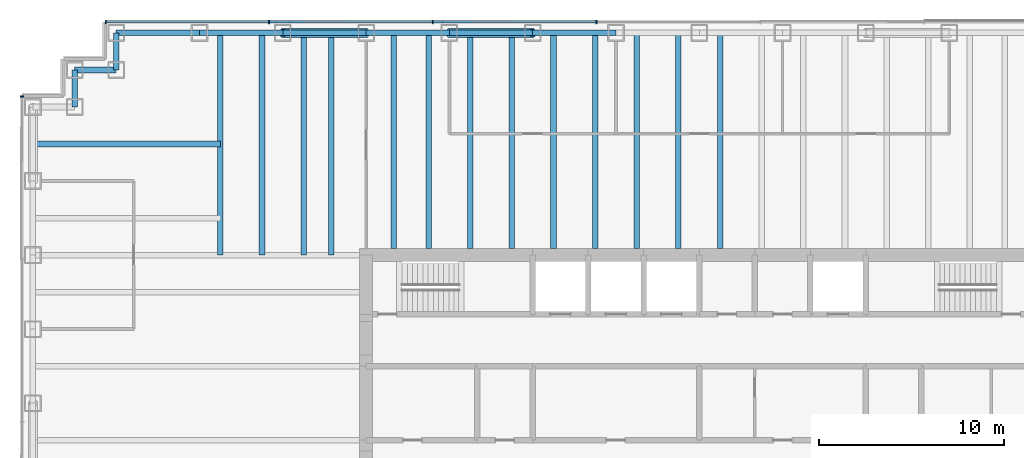
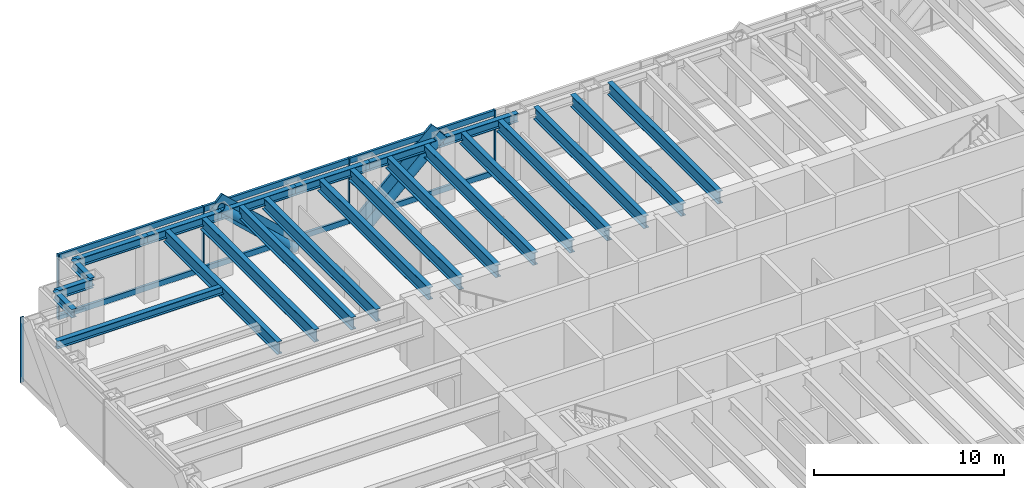
# One storey, part 6 of 15: 23 beams, 15 members, 2 elements without a shape of their own.
"""IFC4 building model written with IfcOpenShell, lengths in metres."""

import ifcopenshell
import ifcopenshell.guid

model = None  # the IFC model being written
_history = None  # IfcOwnerHistory: only IFC2X3 demands one
_inside = {}  # id of a spatial element -> (the spatial element, [elements in it])
_under = {}  # id of a project, library or spatial element -> (it, [spatial elements below it])
_declared = {}  # id of a project -> (the project, [libraries it declares])
_typed = {}  # id of a type object -> (the type object, [elements of that type])
_made_of = {}  # id of a material, layer set ... -> (it, [elements and type objects made of it])


def new_model(schema):
    """Start an empty IFC model of exactly this schema.

    Asked for "IFC4X3", IfcOpenShell would pick the latest addendum, in which some entities
    have other attributes; the version numbers below select the first issue.
    IFC2X3 requires an IfcOwnerHistory on every rooted entity: one is made here for all.
    """
    global model, _history
    if schema == "IFC4X3":
        model = ifcopenshell.file(schema_version=(4, 3, 0, 0))
    else:
        model = ifcopenshell.file(schema=schema)
    _inside.clear()
    _under.clear()
    _declared.clear()
    _typed.clear()
    _made_of.clear()
    _history = None
    if model.schema == "IFC2X3":
        org = make("IfcOrganization", Name="unknown")
        user = make(
            "IfcPersonAndOrganization",
            ThePerson=make("IfcPerson", FamilyName="unknown"),
            TheOrganization=org,
        )
        app = make(
            "IfcApplication",
            ApplicationDeveloper=org,
            Version="unknown",
            ApplicationFullName="unknown",
            ApplicationIdentifier="unknown",
        )
        _history = make(
            "IfcOwnerHistory",
            OwningUser=user,
            OwningApplication=app,
            ChangeAction="ADDED",
            CreationDate=0,
        )
    return model


def make(cls, **values):
    """One entity of the class cls with the attributes given. An attribute that is None is left unset."""
    return model.create_entity(
        cls, **{name: value for name, value in values.items() if value is not None}
    )


def rooted(cls, **values):
    """An entity with a GlobalId (a new one), such as an element, a storey or a relation."""
    return make(cls, GlobalId=ifcopenshell.guid.new(), OwnerHistory=_history, **values)


def si_unit(unit_type, name, prefix=None):
    """IfcSIUnit, for example si_unit("LENGTHUNIT", "METRE", prefix="MILLI")."""
    return make("IfcSIUnit", UnitType=unit_type, Prefix=prefix, Name=name)


def assignment(units):
    """IfcUnitAssignment: the units of a project."""
    return None if units is None else make("IfcUnitAssignment", Units=units)


def point(xyz):
    """IfcCartesianPoint."""
    return None if xyz is None else make("IfcCartesianPoint", Coordinates=xyz)


def direction(xyz):
    """IfcDirection."""
    return None if xyz is None else make("IfcDirection", DirectionRatios=xyz)


def frame(location, z_axis=None, x_axis=None):
    """IfcAxis2Placement3D, a coordinate frame: its origin and axes. An axis left out is left unset."""
    return make(
        "IfcAxis2Placement3D",
        Location=point(location),
        Axis=direction(z_axis),
        RefDirection=direction(x_axis),
    )


def frame_2d(location, x_axis=None):
    """IfcAxis2Placement2D, a coordinate frame in the plane: its origin and x axis."""
    return make(
        "IfcAxis2Placement2D", Location=point(location), RefDirection=direction(x_axis)
    )


def origin():
    """The frame at (0, 0, 0) with its axes left unset."""
    return frame((0.0, 0.0, 0.0))


def origin_2d():
    """The frame at (0, 0) in the plane with its x axis left unset."""
    return frame_2d((0.0, 0.0))


def place(relative_to, where):
    """IfcLocalPlacement: puts the frame where relative to a parent placement (None: the world)."""
    return make(
        "IfcLocalPlacement", PlacementRelTo=relative_to, RelativePlacement=where
    )


def context(
    kind, dimensions, precision=None, world=None, true_north=None, identifier=None
):
    """IfcGeometricRepresentationContext, for example the 3D "Model" context."""
    return make(
        "IfcGeometricRepresentationContext",
        ContextIdentifier=identifier,
        ContextType=kind,
        CoordinateSpaceDimension=dimensions,
        Precision=precision,
        WorldCoordinateSystem=world,
        TrueNorth=true_north,
    )


def subcontext(parent, identifier, kind, view, scale=None):
    """IfcGeometricRepresentationSubContext, for example "Body" below "Model"."""
    return make(
        "IfcGeometricRepresentationSubContext",
        ContextIdentifier=identifier,
        ContextType=kind,
        ParentContext=parent,
        TargetScale=scale,
        TargetView=view,
    )


def project(units=None, contexts=None):
    """IfcProject with its units and contexts."""
    return rooted(
        "IfcProject",
        Name="project",
        RepresentationContexts=contexts,
        UnitsInContext=assignment(units),
    )


def spatial(cls, under=None, at=None, **own):
    """A site, building, storey or space (cls), placed at a placement, below another one or the project."""
    s = rooted(cls, ObjectPlacement=at, **own)
    if under is not None:
        _under.setdefault(under.id(), (under, []))[1].append(s)
    return s


def profile(cls, at=None, kind="AREA", **sizes):
    """A parametric profile (cls). Its sizes go by their IFC names, for example OverallWidth=200.0."""
    return make(cls, ProfileType=kind, Position=at, **sizes)


def rectangle(**sizes):
    """IfcRectangleProfileDef."""
    return profile("IfcRectangleProfileDef", **sizes)


def hollow_circle(**sizes):
    """IfcCircleHollowProfileDef."""
    return profile("IfcCircleHollowProfileDef", **sizes)


def i_section(**sizes):
    """IfcIShapeProfileDef."""
    return profile("IfcIShapeProfileDef", **sizes)


def extrude(swept, where, along, depth):
    """IfcExtrudedAreaSolid: the profile swept, set in the frame where, extruded along a direction by depth."""
    return make(
        "IfcExtrudedAreaSolid",
        SweptArea=swept,
        Position=where,
        ExtrudedDirection=direction(along),
        Depth=depth,
    )


def shape(context_of_items, identifier, shape_type, items):
    """IfcShapeRepresentation: the items that make up one representation, for example the "Body"."""
    return make(
        "IfcShapeRepresentation",
        ContextOfItems=context_of_items,
        RepresentationIdentifier=identifier,
        RepresentationType=shape_type,
        Items=items,
    )


def material(Name=None, Category=None):
    """IfcMaterial."""
    return make("IfcMaterial", Name=Name, Category=Category)


def material_profile(
    of_material, cross_section, Name=None, Category=None, Priority=None
):
    """IfcMaterialProfile: a cross section and its material."""
    return make(
        "IfcMaterialProfile",
        Name=Name,
        Material=of_material,
        Profile=cross_section,
        Priority=Priority,
        Category=Category,
    )


def profile_set(profiles, Name=None, composite=None):
    """IfcMaterialProfileSet."""
    return make(
        "IfcMaterialProfileSet",
        Name=Name,
        MaterialProfiles=profiles,
        CompositeProfile=composite,
    )


def made_of(thing, what):
    """Note that an element or type object is made of a material, layer set ...; save() writes the relation."""
    if what is not None:
        _made_of.setdefault(what.id(), (what, []))[1].append(thing)
    return thing


def type_object(cls, material=None, **own):
    """A type object (cls), such as IfcWallType, which elements share."""
    return made_of(rooted(cls, **own), material)


def element(
    cls,
    number,
    at=None,
    inside=None,
    cuts=None,
    type_object=None,
    material=None,
    context=None,
    identifier="Body",
    shape_type=None,
    held_by="IfcProductDefinitionShape",
    body=None,
    shapes=None,
    **own,
):
    """One element of the class cls, such as IfcWall. Its Tag is "e" and its number.

    at: its placement. inside: the storey or other place that contains it. cuts: it is an
    opening in that element (IfcRelVoidsElement). A single representation is given by context,
    identifier, shape_type and body (its items); several are given by shapes. held_by: the class
    of the entity that holds the representations. save() writes the other relations.
    """
    e = rooted(cls, Tag="e%d" % number, ObjectPlacement=at, **own)
    if body is not None:
        shapes = [shape(context, identifier, shape_type, body)]
    if shapes is not None:
        e.Representation = make(held_by, Representations=shapes)
    if inside is not None:
        _inside.setdefault(inside.id(), (inside, []))[1].append(e)
    if cuts is not None:
        rooted(
            "IfcRelVoidsElement", RelatingBuildingElement=cuts, RelatedOpeningElement=e
        )
    if type_object is not None:
        _typed.setdefault(type_object.id(), (type_object, []))[1].append(e)
    return made_of(e, material)


def aggregate(whole, parts):
    """IfcRelAggregates: a whole, such as a stair, and the parts it consists of."""
    return rooted("IfcRelAggregates", RelatingObject=whole, RelatedObjects=parts)


def save(model, path):
    """Write the relations noted so far, then the file.

    IfcRelAggregates (storeys below a building ...), IfcRelContainedInSpatialStructure (elements
    in a storey), IfcRelDefinesByType, IfcRelAssociatesMaterial and IfcRelDeclares: one each for
    every whole, place, type object, material and project.
    """
    for whole, parts in _under.values():
        aggregate(whole, parts)
    for where, things in _inside.values():
        rooted(
            "IfcRelContainedInSpatialStructure",
            RelatedElements=things,
            RelatingStructure=where,
        )
    for kind, things in _typed.values():
        rooted("IfcRelDefinesByType", RelatedObjects=things, RelatingType=kind)
    for what, things in _made_of.values():
        rooted("IfcRelAssociatesMaterial", RelatedObjects=things, RelatingMaterial=what)
    for by, libraries in _declared.values():
        rooted("IfcRelDeclares", RelatingContext=by, RelatedDefinitions=libraries)
    model.write(path)


model = new_model("IFC4")

# Units and contexts
model_context = context("Model", 3, precision=1e-05, world=origin(), true_north=direction((0.0, 1.0)))
body_context = subcontext(model_context, "Body", "Model", "MODEL_VIEW")
ifc_project = project(units=[si_unit("LENGTHUNIT", "METRE"), si_unit("AREAUNIT", "SQUARE_METRE"), si_unit("VOLUMEUNIT", "CUBIC_METRE"), si_unit("PLANEANGLEUNIT", "RADIAN"), si_unit("MASSUNIT", "GRAM", prefix="KILO")], contexts=[model_context])

# Site, building, storey
site_placement = place(None, origin())
site = spatial("IfcSite", under=ifc_project, at=site_placement, CompositionType="ELEMENT")
building_placement = place(site_placement, origin())
building = spatial("IfcBuilding", under=site, at=building_placement, Name="Rheinbord Bourse Tower", CompositionType="ELEMENT")
storey_placement = place(building_placement, frame((0.0, 0.0, 292.10009765625)))
storey = spatial("IfcBuildingStorey", under=building, at=storey_placement, Name="L66", CompositionType="ELEMENT", Elevation=292.10009765625)

# Curtain wall, members
ifc_material_1 = material(Name="Dark glass and black aluminium", Category="aluminium")
curtain_wall_type = type_object("IfcCurtainWallType", Name="CW3 DARK GLASS CURTAIN WALL", PredefinedType="USERDEFINED", material=ifc_material_1)
curtain_wall_1_placement = place(storey_placement, origin())
curtain_wall_1 = element("IfcCurtainWall", 1, at=curtain_wall_1_placement, inside=storey, type_object=curtain_wall_type, Name="Curtain wall CW3 N L66", ObjectType="UNITISED CURTAIN WALL", PredefinedType="USERDEFINED")
ifc_material_2 = material(Name="Black anodised aluminium", Category="aluminium")
ifc_material_profile_1 = material_profile(ifc_material_2, rectangle(XDim=0.14990234375, YDim=1.10791015625, at=origin_2d()), Name="CW3 DIAGONAL MULLION 1108x150")
ifc_profile_set_1 = profile_set([ifc_material_profile_1], Name="Black anodised aluminium")
member_type_1 = type_object("IfcMemberType", Name="CW3 BLACK DIAGONAL MULLION", PredefinedType="USERDEFINED", material=ifc_profile_set_1)
member_1_placement = place(storey_placement, frame((18.0, 44.60009765625, 0.0), z_axis=(-0.73105922506, 0.0, 0.682314010889), x_axis=(0.0, -1.0, 0.0)))
member_1 = element("IfcMember", 2, at=member_1_placement, type_object=member_type_1, Name="CW3 diagonal mullion b", ObjectType="DIAGONAL MULLION", PredefinedType="USERDEFINED", context=body_context, shape_type="SweptSolid", body=[
    extrude(rectangle(XDim=0.14990234375, YDim=1.10791015625, at=origin_2d()), origin(), (0.0, 0.0, 1.0), 6.155517578125),
])
member_2_placement = place(storey_placement, frame((22.5, 44.60009765625, 0.0), z_axis=(0.73105922506, 0.0, 0.682314010889), x_axis=(0.0, 1.0, 0.0)))
member_2 = element("IfcMember", 3, at=member_2_placement, type_object=member_type_1, Name="CW3 diagonal mullion d", ObjectType="DIAGONAL MULLION", PredefinedType="USERDEFINED", context=body_context, shape_type="SweptSolid", body=[
    extrude(rectangle(XDim=0.14990234375, YDim=1.10791015625, at=origin_2d()), origin(), (0.0, 0.0, 1.0), 6.155517578125),
])
ifc_material_3 = material(Name="Black anodised aluminium", Category="aluminium")
ifc_material_profile_2 = material_profile(ifc_material_3, rectangle(XDim=0.199951171875, YDim=0.06494140625, at=origin_2d()), Name="CW3 MULLION 65x200")
ifc_profile_set_2 = profile_set([ifc_material_profile_2], Name="Black anodised aluminium")
member_type_2 = type_object("IfcMemberType", Name="CW3 BLACK MULLION", PredefinedType="MULLION", material=ifc_profile_set_2)
member_3_placement = place(storey_placement, frame((30.449951171875, 44.60009765625, 0.0), z_axis=(0.0, 0.0, 1.0), x_axis=(0.0, -1.0, 0.0)))
member_3 = element("IfcMember", 4, at=member_3_placement, type_object=member_type_2, Name="CW3 mullion 5", PredefinedType="MULLION", context=body_context, shape_type="SweptSolid", body=[
    extrude(rectangle(XDim=0.199951171875, YDim=0.06494140625, at=origin_2d()), origin(), (0.0, 0.0, 1.0), 4.199951171875),
])
member_4_placement = place(storey_placement, frame((21.60009765625, 44.60009765625, 0.0), z_axis=(0.0, 0.0, 1.0), x_axis=(0.0, -1.0, 0.0)))
member_4 = element("IfcMember", 5, at=member_4_placement, type_object=member_type_2, Name="CW3 mullion 6", PredefinedType="MULLION", context=body_context, shape_type="SweptSolid", body=[
    extrude(rectangle(XDim=0.199951171875, YDim=0.06494140625, at=origin_2d()), origin(), (0.0, 0.0, 1.0), 4.199951171875),
])
member_5_placement = place(storey_placement, frame((12.75, 44.60009765625, 0.0), z_axis=(0.0, 0.0, 1.0), x_axis=(0.0, -1.0, 0.0)))
member_5 = element("IfcMember", 6, at=member_5_placement, type_object=member_type_2, Name="CW3 mullion 7", PredefinedType="MULLION", context=body_context, shape_type="SweptSolid", body=[
    extrude(rectangle(XDim=0.199951171875, YDim=0.06494140625, at=origin_2d()), origin(), (0.0, 0.0, 1.0), 4.199951171875),
])
member_6_placement = place(storey_placement, frame((3.9326171875, 44.60009765625, 0.0), z_axis=(0.0, 0.0, 1.0), x_axis=(0.0, -1.0, 0.0)))
member_6 = element("IfcMember", 7, at=member_6_placement, type_object=member_type_2, Name="CW3 mullion 8", PredefinedType="MULLION", context=body_context, shape_type="SweptSolid", body=[
    extrude(rectangle(XDim=0.199951171875, YDim=0.06494140625, at=origin_2d()), origin(), (0.0, 0.0, 1.0), 4.199951171875),
])

# Curtain wall, member
curtain_wall_2_placement = place(storey_placement, origin())
curtain_wall_2 = element("IfcCurtainWall", 8, at=curtain_wall_2_placement, inside=storey, type_object=curtain_wall_type, Name="Curtain wall CW3 W L66", ObjectType="UNITISED CURTAIN WALL", PredefinedType="USERDEFINED")
member_7_placement = place(storey_placement, frame((-0.60009765625, 40.5673828125, 0.0), z_axis=(0.0, 0.0, 1.0), x_axis=(1.0, 0.0, 0.0)))
member_7 = element("IfcMember", 9, at=member_7_placement, type_object=member_type_2, Name="CW3 mullion 1", PredefinedType="MULLION", context=body_context, shape_type="SweptSolid", body=[
    extrude(rectangle(XDim=0.199951171875, YDim=0.06494140625, at=origin_2d()), origin(), (0.0, 0.0, 1.0), 4.199951171875),
])
aggregate(curtain_wall_2, [member_7])

# Member
ifc_material_4 = material(Name="Black anodised aluminium", Category="aluminium")
ifc_material_profile_3 = material_profile(ifc_material_4, rectangle(XDim=0.14990234375, YDim=0.35009765625, at=origin_2d()), Name="CW3 TRANSOM 350x150")
ifc_profile_set_3 = profile_set([ifc_material_profile_3], Name="Black anodised aluminium")
member_type_3 = type_object("IfcMemberType", Name="CW3 BLACK TRANSOM", PredefinedType="USERDEFINED", material=ifc_profile_set_3)
member_8_placement = place(storey_placement, frame((30.41748046875, 44.60009765625, 0.1748046875), z_axis=(-1.0, 0.0, 0.0), x_axis=(0.0, -1.0, 0.0)))
member_8 = element("IfcMember", 10, at=member_8_placement, type_object=member_type_3, Name="CW3 transom 5.1", ObjectType="TRANSOM", PredefinedType="USERDEFINED", context=body_context, shape_type="SweptSolid", body=[
    extrude(rectangle(XDim=0.14990234375, YDim=0.35009765625, at=origin_2d()), origin(), (0.0, 0.0, 1.0), 8.784912109375),
])

member_9_placement = place(storey_placement, frame((30.41748046875, 44.60009765625, 4.02490234375), z_axis=(-1.0, 0.0, 0.0), x_axis=(0.0, -1.0, 0.0)))
member_9 = element("IfcMember", 11, at=member_9_placement, type_object=member_type_3, Name="CW3 transom 5.2", ObjectType="TRANSOM", PredefinedType="USERDEFINED", context=body_context, shape_type="SweptSolid", body=[
    extrude(rectangle(XDim=0.14990234375, YDim=0.35009765625, at=origin_2d()), origin(), (0.0, 0.0, 1.0), 8.784912109375),
])

member_10_placement = place(storey_placement, frame((21.5673828125, 44.60009765625, 0.1748046875), z_axis=(-1.0, 0.0, 0.0), x_axis=(0.0, -1.0, 0.0)))
member_10 = element("IfcMember", 12, at=member_10_placement, type_object=member_type_3, Name="CW3 transom 6.1", ObjectType="TRANSOM", PredefinedType="USERDEFINED", context=body_context, shape_type="SweptSolid", body=[
    extrude(rectangle(XDim=0.14990234375, YDim=0.35009765625, at=origin_2d()), origin(), (0.0, 0.0, 1.0), 8.784912109375),
])

member_11_placement = place(storey_placement, frame((21.5673828125, 44.60009765625, 4.02490234375), z_axis=(-1.0, 0.0, 0.0), x_axis=(0.0, -1.0, 0.0)))
member_11 = element("IfcMember", 13, at=member_11_placement, type_object=member_type_3, Name="CW3 transom 6.2", ObjectType="TRANSOM", PredefinedType="USERDEFINED", context=body_context, shape_type="SweptSolid", body=[
    extrude(rectangle(XDim=0.14990234375, YDim=0.35009765625, at=origin_2d()), origin(), (0.0, 0.0, 1.0), 8.784912109375),
])

member_12_placement = place(storey_placement, frame((12.717529296875, 44.60009765625, 0.1748046875), z_axis=(-1.0, 0.0, 0.0), x_axis=(0.0, -1.0, 0.0)))
member_12 = element("IfcMember", 14, at=member_12_placement, type_object=member_type_3, Name="CW3 transom 7.1", ObjectType="TRANSOM", PredefinedType="USERDEFINED", context=body_context, shape_type="SweptSolid", body=[
    extrude(rectangle(XDim=0.14990234375, YDim=0.35009765625, at=origin_2d()), origin(), (0.0, 0.0, 1.0), 8.75244140625),
])

member_13_placement = place(storey_placement, frame((12.717529296875, 44.60009765625, 4.02490234375), z_axis=(-1.0, 0.0, 0.0), x_axis=(0.0, -1.0, 0.0)))
member_13 = element("IfcMember", 15, at=member_13_placement, type_object=member_type_3, Name="CW3 transom 7.2", ObjectType="TRANSOM", PredefinedType="USERDEFINED", context=body_context, shape_type="SweptSolid", body=[
    extrude(rectangle(XDim=0.14990234375, YDim=0.35009765625, at=origin_2d()), origin(), (0.0, 0.0, 1.0), 8.75244140625),
])

aggregate(curtain_wall_1, [member_3, member_4, member_5, member_6, member_8, member_9, member_10, member_11, member_12, member_13, member_1, member_2])

# Beams
ifc_material_5 = material(Name="Steel S460", Category="steel")
ifc_material_profile_4 = material_profile(ifc_material_5, i_section(OverallWidth=0.300048828125, OverallDepth=0.800048828125, WebThickness=0.017578125, FlangeThickness=0.032958984375, at=origin_2d()), Name="HEB 800")
ifc_profile_set_4 = profile_set([ifc_material_profile_4], Name="Steel S460")
beam_type_1 = type_object("IfcBeamType", Name="FLOOR BEAM HEB 800", PredefinedType="BEAM", material=ifc_profile_set_4)
for number, where, z_axis, x_axis, name in (
    (16, (10.125, 44.0, 3.639892578125), (0.0, -1.0, 0.0), (1.0, 0.0, 0.0), "Floor beam N-9a L67"),
    (17, (12.375, 44.0, 3.639892578125), (0.0, -1.0, 0.0), (1.0, 0.0, 0.0), "Floor beam N-9b L67"),
    (18, (14.625, 44.0, 3.639892578125), (0.0, -1.0, 0.0), (1.0, 0.0, 0.0), "Floor beam N-13.5a L67"),
    (19, (16.125, 44.0, 3.639892578125), (0.0, -1.0, 0.0), (1.0, 0.0, 0.0), "Floor beam N-13.5b L67"),
):
    element("IfcBeam", number, at=place(storey_placement, frame(where, z_axis=z_axis, x_axis=x_axis)), inside=storey, type_object=beam_type_1, Name=name, PredefinedType="BEAM", context=body_context, shape_type="SweptSolid", body=[
        extrude(i_section(OverallWidth=0.300048828125, OverallDepth=0.800048828125, WebThickness=0.017578125, FlangeThickness=0.032958984375, at=origin_2d()), origin(), (0.0, 0.0, 1.0), 12.0),
    ])
for number, where, z_axis, x_axis, name in (
    (20, (19.5, 44.0, 3.639892578125), (0.0, -1.0, 0.0), (1.0, 0.0, 0.0), "Floor beam N-18a L67"),
    (21, (21.375, 44.0, 3.639892578125), (0.0, -1.0, 0.0), (1.0, 0.0, 0.0), "Floor beam N-18b L67"),
    (22, (23.625, 44.0, 3.639892578125), (0.0, -1.0, 0.0), (1.0, 0.0, 0.0), "Floor beam N-22.5a L67"),
    (23, (25.875, 44.0, 3.639892578125), (0.0, -1.0, 0.0), (1.0, 0.0, 0.0), "Floor beam N-22.5b L67"),
    (24, (28.125, 44.0, 3.639892578125), (0.0, -1.0, 0.0), (1.0, 0.0, 0.0), "Floor beam N-27a L67"),
    (25, (30.375, 44.0, 3.639892578125), (0.0, -1.0, 0.0), (1.0, 0.0, 0.0), "Floor beam N-27b L67"),
    (26, (32.625, 44.0, 3.639892578125), (0.0, -1.0, 0.0), (1.0, 0.0, 0.0), "Floor beam N-31.5a L67"),
    (27, (34.875, 44.0, 3.639892578125), (0.0, -1.0, 0.0), (1.0, 0.0, 0.0), "Floor beam N-31.5b L67"),
    (28, (37.125, 44.0, 3.639892578125), (0.0, -1.0, 0.0), (1.0, 0.0, 0.0), "Floor beam N-36a L67"),
):
    element("IfcBeam", number, at=place(storey_placement, frame(where, z_axis=z_axis, x_axis=x_axis)), inside=storey, type_object=beam_type_1, Name=name, PredefinedType="BEAM", context=body_context, shape_type="SweptSolid", body=[
        extrude(i_section(OverallWidth=0.300048828125, OverallDepth=0.800048828125, WebThickness=0.017578125, FlangeThickness=0.032958984375, at=origin_2d()), origin(), (0.0, 0.0, 1.0), 11.64990234375),
    ])

# Members
ifc_material_6 = material(Name="Steel S460", Category="steel")
ifc_material_profile_5 = material_profile(ifc_material_6, hollow_circle(Radius=0.25390625, WallThickness=0.030029296875, at=origin_2d()), Name="CHS 508x30")
ifc_profile_set_5 = profile_set([ifc_material_profile_5], Name="Steel S460")
member_type_4 = type_object("IfcMemberType", Name="MEGABRACE CHS 508x30", PredefinedType="BRACE", material=ifc_profile_set_5)
for number, where, z_axis, x_axis, name in (
    (29, (18.0, 44.0, 0.0), (-0.73105922506, 0.0, 0.682314010889), (0.0, -1.0, 0.0), "Megabrace N face line b L66"),
    (30, (22.5, 44.0, 0.0), (0.73105922506, 0.0, 0.682314010889), (0.0, 1.0, 0.0), "Megabrace N face line d L66"),
):
    element("IfcMember", number, at=place(storey_placement, frame(where, z_axis=z_axis, x_axis=x_axis)), inside=storey, type_object=member_type_4, Name=name, PredefinedType="BRACE", context=body_context, shape_type="SweptSolid", body=[
        extrude(hollow_circle(Radius=0.25390625, WallThickness=0.030029296875, at=origin_2d()), origin(), (0.0, 0.0, 1.0), 6.155517578125),
    ])

# Beams
ifc_material_7 = material(Name="Steel S460", Category="steel")
ifc_material_profile_6 = material_profile(ifc_material_7, i_section(OverallWidth=0.300048828125, OverallDepth=0.550048828125, WebThickness=0.014892578125, FlangeThickness=0.029052734375, at=origin_2d()), Name="HEB 550")
ifc_profile_set_6 = profile_set([ifc_material_profile_6], Name="Steel S460")
beam_type_2 = type_object("IfcBeamType", Name="SPANDREL HEB 550", PredefinedType="SPANDREL", material=ifc_profile_set_6)
for number, where, z_axis, x_axis, name in (
    (31, (31.5, 44.0, 3.764892578125), (-1.0, 0.0, 0.0), (0.0, -1.0, 0.0), "Spandrel N-31.5-N-27 under L67"),
    (32, (27.0, 44.0, 3.764892578125), (-1.0, 0.0, 0.0), (0.0, -1.0, 0.0), "Spandrel N-27-N-22.5 under L67"),
    (33, (22.5, 44.0, 3.764892578125), (-1.0, 0.0, 0.0), (0.0, -1.0, 0.0), "Spandrel N-22.5-N-18 under L67"),
    (34, (18.0, 44.0, 3.764892578125), (-1.0, 0.0, 0.0), (0.0, -1.0, 0.0), "Spandrel N-18-N-13.5 under L67"),
    (35, (13.5, 44.0, 3.764892578125), (-1.0, 0.0, 0.0), (0.0, -1.0, 0.0), "Spandrel N-13.5-N-9 under L67"),
    (36, (9.0, 44.0, 3.764892578125), (-1.0, 0.0, 0.0), (0.0, -1.0, 0.0), "Spandrel N-9-NW-E under L67"),
):
    element("IfcBeam", number, at=place(storey_placement, frame(where, z_axis=z_axis, x_axis=x_axis)), inside=storey, type_object=beam_type_2, Name=name, PredefinedType="SPANDREL", context=body_context, shape_type="SweptSolid", body=[
        extrude(i_section(OverallWidth=0.300048828125, OverallDepth=0.550048828125, WebThickness=0.014892578125, FlangeThickness=0.029052734375, at=origin_2d()), origin(), (0.0, 0.0, 1.0), 4.5),
    ])
beam_1_placement = place(storey_placement, frame((4.5, 44.0, 3.764892578125), z_axis=(0.0, -1.0, 0.0), x_axis=(1.0, 0.0, 0.0)))
element("IfcBeam", 37, at=beam_1_placement, inside=storey, type_object=beam_type_2, Name="Spandrel NW-E-NW-D under L67", PredefinedType="SPANDREL", context=body_context, shape_type="SweptSolid", body=[
    extrude(i_section(OverallWidth=0.300048828125, OverallDepth=0.550048828125, WebThickness=0.014892578125, FlangeThickness=0.029052734375, at=origin_2d()), origin(), (0.0, 0.0, 1.0), 2.0),
])
beam_2_placement = place(storey_placement, frame((4.5, 42.0, 3.764892578125), z_axis=(-1.0, 0.0, 0.0), x_axis=(0.0, -1.0, 0.0)))
element("IfcBeam", 38, at=beam_2_placement, inside=storey, type_object=beam_type_2, Name="Spandrel NW-D-NW-C under L67", PredefinedType="SPANDREL", context=body_context, shape_type="SweptSolid", body=[
    extrude(i_section(OverallWidth=0.300048828125, OverallDepth=0.550048828125, WebThickness=0.014892578125, FlangeThickness=0.029052734375, at=origin_2d()), origin(), (0.0, 0.0, 1.0), 2.25),
])
beam_3_placement = place(storey_placement, frame((2.25, 42.0, 3.764892578125), z_axis=(0.0, -1.0, 0.0), x_axis=(1.0, 0.0, 0.0)))
element("IfcBeam", 39, at=beam_3_placement, inside=storey, type_object=beam_type_2, Name="Spandrel NW-C-NW-B under L67", PredefinedType="SPANDREL", context=body_context, shape_type="SweptSolid", body=[
    extrude(i_section(OverallWidth=0.300048828125, OverallDepth=0.550048828125, WebThickness=0.014892578125, FlangeThickness=0.029052734375, at=origin_2d()), origin(), (0.0, 0.0, 1.0), 2.0),
])
ifc_material_8 = material(Name="Steel S460", Category="steel")
ifc_material_profile_7 = material_profile(ifc_material_8, i_section(OverallWidth=0.300048828125, OverallDepth=0.5, WebThickness=0.014404296875, FlangeThickness=0.028076171875, at=origin_2d()), Name="HEB 500")
ifc_profile_set_7 = profile_set([ifc_material_profile_7], Name="Steel S460")
beam_type_3 = type_object("IfcBeamType", Name="TIE BEAM HEB 500", PredefinedType="JOIST", material=ifc_profile_set_7)
beam_4_placement = place(storey_placement, frame((0.0, 38.0, 3.789794921875), z_axis=(1.0, 0.0, 0.0), x_axis=(0.0, 1.0, 0.0)))
element("IfcBeam", 40, at=beam_4_placement, inside=storey, type_object=beam_type_3, Name="Tie west 38 L67", PredefinedType="JOIST", context=body_context, shape_type="SweptSolid", body=[
    extrude(i_section(OverallWidth=0.300048828125, OverallDepth=0.5, WebThickness=0.014404296875, FlangeThickness=0.028076171875, at=origin_2d()), origin(), (0.0, 0.0, 1.0), 10.125),
])

save(model, "model.ifc")
